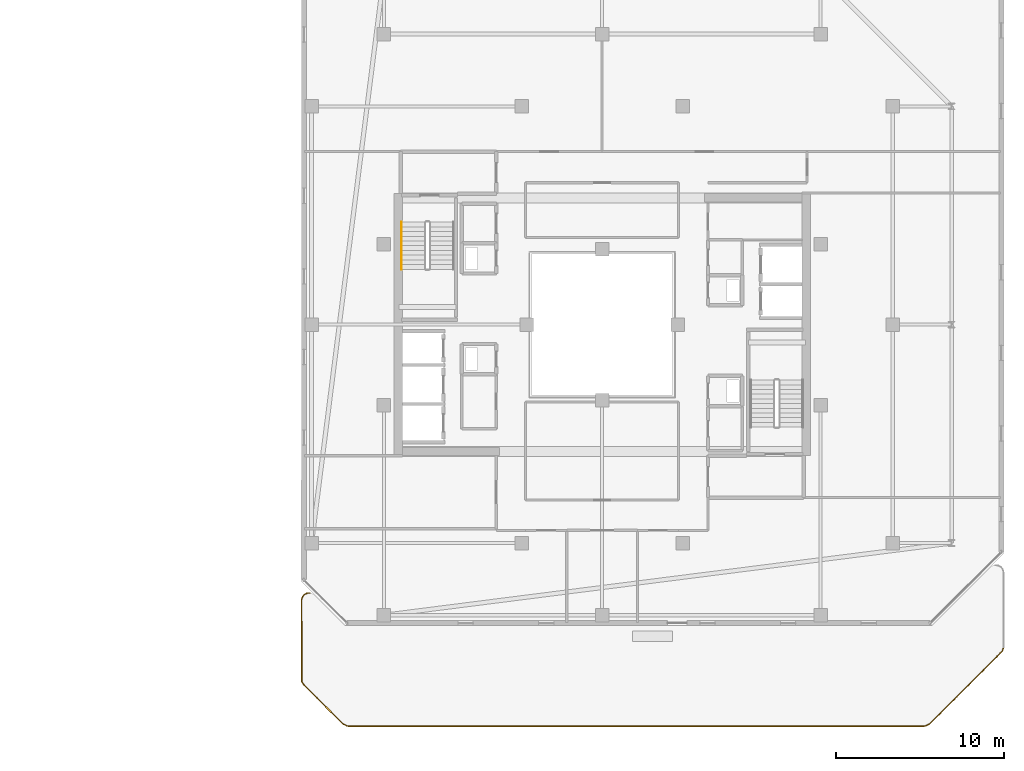
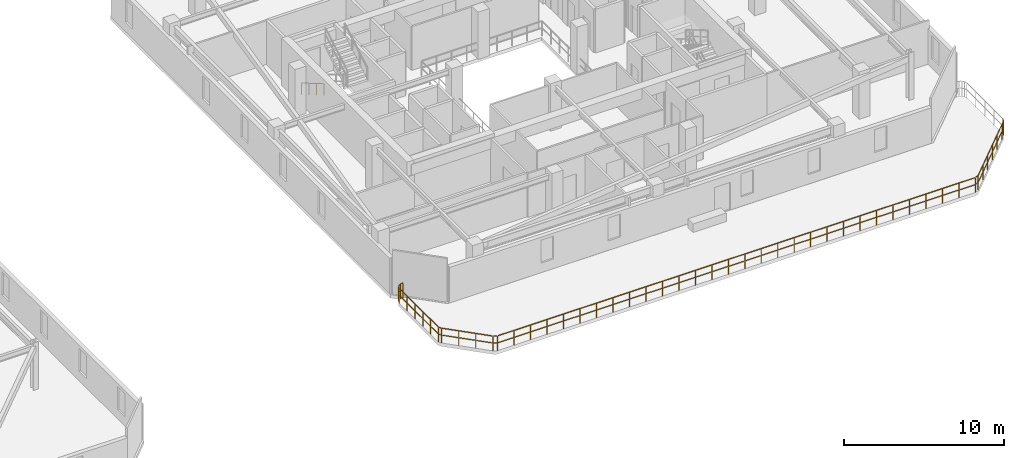
# One storey, part 30 of 31: 2 railings.
"""IFC4 building model written with IfcOpenShell, lengths in metres."""

from ifc_helpers import new_model, si_unit, direction, frame, origin, origin_2d, place, context, subcontext, project, spatial, rectangle, extrude, material, type_object, element, save


model = new_model("IFC4")

# Units and contexts
model_context = context("Model", 3, precision=1e-05, world=origin(), true_north=direction((0.0, 1.0)))
body_context = subcontext(model_context, "Body", "Model", "MODEL_VIEW")
ifc_project = project(units=[si_unit("LENGTHUNIT", "METRE"), si_unit("AREAUNIT", "SQUARE_METRE"), si_unit("VOLUMEUNIT", "CUBIC_METRE"), si_unit("PLANEANGLEUNIT", "RADIAN"), si_unit("MASSUNIT", "GRAM", prefix="KILO")], contexts=[model_context])

# Site, building, storey
site_placement = place(None, origin())
site = spatial("IfcSite", under=ifc_project, at=site_placement, CompositionType="ELEMENT")
building_placement = place(site_placement, origin())
building = spatial("IfcBuilding", under=site, at=building_placement, Name="Thornwick Lancets Civic Towers", CompositionType="ELEMENT")
storey_placement = place(building_placement, frame((0.0, 0.0, 254.699951171875)))
storey = spatial("IfcBuildingStorey", under=building, at=storey_placement, Name="L68", CompositionType="ELEMENT", Elevation=254.699951171875)

# Railings
ifc_material_1 = material(Name="Brushed stainless steel S355", Category="steel")
railing_type_1 = type_object("IfcRailingType", Name="RAIL_HANDRAIL", PredefinedType="HANDRAIL", material=ifc_material_1)
railing_1_placement = place(storey_placement, frame((76.550048828125, 33.10009765625, 0.16357421875)))
element("IfcRailing", 1, at=railing_1_placement, inside=storey, type_object=railing_type_1, Name="L68 ST-B2 stair handrail 1", PredefinedType="HANDRAIL", context=body_context, shape_type="SweptSolid", body=[
    extrude(rectangle(XDim=0.048095703125, YDim=0.048095703125, at=origin_2d()), frame((0.0, 0.0, 0.8857421875), z_axis=(0.0, -0.863360870873, 0.504586966384), x_axis=(1.0, 0.0, 0.0)), (0.0, 0.0, 1.0), 3.2431640625),
    extrude(rectangle(XDim=0.0419921875, YDim=0.0419921875, at=origin_2d()), origin(), (0.0, 0.0, 1.0), 0.855712890625),
    extrude(rectangle(XDim=0.0419921875, YDim=0.0419921875, at=origin_2d()), frame((0.0, -0.933349609375, 0.54541015625)), (0.0, 0.0, 1.0), 0.855712890625),
    extrude(rectangle(XDim=0.0419921875, YDim=0.0419921875, at=origin_2d()), frame((0.0, -1.86669921875, 1.091064453125)), (0.0, 0.0, 1.0), 0.855712890625),
    extrude(rectangle(XDim=0.0419921875, YDim=0.0419921875, at=origin_2d()), frame((0.0, -2.800048828125, 1.636474609375)), (0.0, 0.0, 1.0), 0.855712890625),
])
ifc_material_2 = material(Name="Terracotta-capped laminated glass balustrade S355", Category="masonry")
railing_type_2 = type_object("IfcRailingType", Name="RAIL_TERR_GUARD", PredefinedType="GUARDRAIL", material=ifc_material_2)
railing_2_placement = place(storey_placement, frame((112.397705078125, 7.7802734375, 0.0)))
element("IfcRailing", 2, at=railing_2_placement, inside=storey, type_object=railing_type_2, Name="L68 Tower B Sky-Garden Guard 1 Part 1", PredefinedType="GUARDRAIL", context=body_context, shape_type="SweptSolid", body=[
    extrude(rectangle(XDim=0.048095703125, YDim=0.048095703125, at=origin_2d()), frame((0.0, 0.0, 1.1259765625), z_axis=(-0.336265625634, -0.941767184084, 0.0), x_axis=(0.941767184084, -0.336265625634, 0.0)), (0.0, 0.0, 1.0), 0.187255859375),
    extrude(rectangle(XDim=0.0419921875, YDim=0.0419921875, at=origin_2d()), frame((-0.0126953125, -0.035400390625, 0.597900390625), z_axis=(-0.336265625634, -0.941767184084, 0.0), x_axis=(0.941767184084, -0.336265625634, 0.0)), (0.0, 0.0, 1.0), 0.1435546875),
    extrude(rectangle(XDim=0.048095703125, YDim=0.048095703125, at=origin_2d()), frame((-0.09521484375, -0.228271484375, 1.1259765625), z_axis=(-0.693108716252, -0.720833064902, 0.0), x_axis=(0.720833064902, -0.693108716252, 0.0)), (0.0, 0.0, 1.0), 0.377685546875),
    extrude(rectangle(XDim=0.0419921875, YDim=0.0419921875, at=origin_2d()), frame((-0.099365234375, -0.23291015625, 0.597900390625), z_axis=(-0.693108716252, -0.720833064902, 0.0), x_axis=(0.720833064902, -0.693108716252, 0.0)), (0.0, 0.0, 1.0), 0.365234375),
    extrude(rectangle(XDim=0.048095703125, YDim=0.048095703125, at=origin_2d()), frame((-0.40087890625, -0.54541015625, 1.1259765625), z_axis=(-0.707085337138, -0.707128224585, 0.0), x_axis=(0.707128224585, -0.707085337138, 0.0)), (0.0, 0.0, 1.0), 5.630126953125),
    extrude(rectangle(XDim=0.0419921875, YDim=0.0419921875, at=origin_2d()), frame((-0.4052734375, -0.5498046875, 0.597900390625), z_axis=(-0.707085337138, -0.707128224585, 0.0), x_axis=(0.707128224585, -0.707085337138, 0.0)), (0.0, 0.0, 1.0), 1.0634765625),
    extrude(rectangle(XDim=0.0419921875, YDim=0.0419921875, at=origin_2d()), frame((-1.210205078125, -1.354736328125, 0.597900390625), z_axis=(-0.707085337138, -0.707128224585, 0.0), x_axis=(0.707128224585, -0.707085337138, 0.0)), (0.0, 0.0, 1.0), 1.0634765625),
    extrude(rectangle(XDim=0.0419921875, YDim=0.0419921875, at=origin_2d()), frame((-2.01513671875, -2.159912109375, 0.597900390625), z_axis=(-0.707085337138, -0.707128224585, 0.0), x_axis=(0.707128224585, -0.707085337138, 0.0)), (0.0, 0.0, 1.0), 1.0634765625),
    extrude(rectangle(XDim=0.0419921875, YDim=0.0419921875, at=origin_2d()), frame((-2.8203125, -2.96484375, 0.597900390625), z_axis=(-0.707085337138, -0.707128224585, 0.0), x_axis=(0.707128224585, -0.707085337138, 0.0)), (0.0, 0.0, 1.0), 1.0634765625),
    extrude(rectangle(XDim=0.0419921875, YDim=0.0419921875, at=origin_2d()), frame((-3.625244140625, -3.77001953125, 0.597900390625), z_axis=(-0.707085337138, -0.707128224585, 0.0), x_axis=(0.707128224585, -0.707085337138, 0.0)), (0.0, 0.0, 1.0), 1.0634765625),
    extrude(rectangle(XDim=0.048095703125, YDim=0.048095703125, at=origin_2d()), frame((-4.43212890625, -4.56201171875, 1.1259765625), z_axis=(-0.904343633652, -0.426805098696, 0.0), x_axis=(0.426805098696, -0.904343633652, 0.0)), (0.0, 0.0, 1.0), 0.24072265625),
    extrude(rectangle(XDim=0.0419921875, YDim=0.0419921875, at=origin_2d()), frame((-4.437744140625, -4.564697265625, 0.597900390625), z_axis=(-0.904343633652, -0.426805098696, 0.0), x_axis=(0.426805098696, -0.904343633652, 0.0)), (0.0, 0.0, 1.0), 0.228271484375),
    extrude(rectangle(XDim=0.048095703125, YDim=0.048095703125, at=origin_2d()), frame((-4.709228515625, -4.677978515625, 1.1259765625), z_axis=(-1.0, 0.0, 0.0), x_axis=(0.0, -1.0, 0.0)), (0.0, 0.0, 1.0), 34.31494140625),
    extrude(rectangle(XDim=0.0419921875, YDim=0.0419921875, at=origin_2d()), frame((-4.715576171875, -4.677978515625, 0.597900390625), z_axis=(-1.0, 0.0, 0.0), x_axis=(0.0, -1.0, 0.0)), (0.0, 0.0, 1.0), 1.1103515625),
    extrude(rectangle(XDim=0.0419921875, YDim=0.0419921875, at=origin_2d()), frame((-5.90087890625, -4.677978515625, 0.597900390625), z_axis=(-1.0, 0.0, 0.0), x_axis=(0.0, -1.0, 0.0)), (0.0, 0.0, 1.0), 1.1103515625),
    extrude(rectangle(XDim=0.0419921875, YDim=0.0419921875, at=origin_2d()), frame((-7.08642578125, -4.677978515625, 0.597900390625), z_axis=(-1.0, 0.0, 0.0), x_axis=(0.0, -1.0, 0.0)), (0.0, 0.0, 1.0), 1.1103515625),
    extrude(rectangle(XDim=0.0419921875, YDim=0.0419921875, at=origin_2d()), frame((-8.271728515625, -4.677978515625, 0.597900390625), z_axis=(-1.0, 0.0, 0.0), x_axis=(0.0, -1.0, 0.0)), (0.0, 0.0, 1.0), 1.1103515625),
    extrude(rectangle(XDim=0.0419921875, YDim=0.0419921875, at=origin_2d()), frame((-9.457275390625, -4.677978515625, 0.597900390625), z_axis=(-1.0, 0.0, 0.0), x_axis=(0.0, -1.0, 0.0)), (0.0, 0.0, 1.0), 1.1103515625),
    extrude(rectangle(XDim=0.0419921875, YDim=0.0419921875, at=origin_2d()), frame((-10.642578125, -4.677978515625, 0.597900390625), z_axis=(-1.0, 0.0, 0.0), x_axis=(0.0, -1.0, 0.0)), (0.0, 0.0, 1.0), 1.1103515625),
    extrude(rectangle(XDim=0.0419921875, YDim=0.0419921875, at=origin_2d()), frame((-11.828125, -4.677978515625, 0.597900390625), z_axis=(-1.0, 0.0, 0.0), x_axis=(0.0, -1.0, 0.0)), (0.0, 0.0, 1.0), 1.1103515625),
    extrude(rectangle(XDim=0.0419921875, YDim=0.0419921875, at=origin_2d()), frame((-13.013427734375, -4.677978515625, 0.597900390625), z_axis=(-1.0, 0.0, 0.0), x_axis=(0.0, -1.0, 0.0)), (0.0, 0.0, 1.0), 1.1103515625),
    extrude(rectangle(XDim=0.0419921875, YDim=0.0419921875, at=origin_2d()), frame((-14.198974609375, -4.677978515625, 0.597900390625), z_axis=(-1.0, 0.0, 0.0), x_axis=(0.0, -1.0, 0.0)), (0.0, 0.0, 1.0), 1.1103515625),
    extrude(rectangle(XDim=0.0419921875, YDim=0.0419921875, at=origin_2d()), frame((-15.38427734375, -4.677978515625, 0.597900390625), z_axis=(-1.0, 0.0, 0.0), x_axis=(0.0, -1.0, 0.0)), (0.0, 0.0, 1.0), 1.1103515625),
    extrude(rectangle(XDim=0.0419921875, YDim=0.0419921875, at=origin_2d()), frame((-16.56982421875, -4.677978515625, 0.597900390625), z_axis=(-1.0, 0.0, 0.0), x_axis=(0.0, -1.0, 0.0)), (0.0, 0.0, 1.0), 1.1103515625),
    extrude(rectangle(XDim=0.0419921875, YDim=0.0419921875, at=origin_2d()), frame((-17.755126953125, -4.677978515625, 0.597900390625), z_axis=(-1.0, 0.0, 0.0), x_axis=(0.0, -1.0, 0.0)), (0.0, 0.0, 1.0), 1.1103515625),
    extrude(rectangle(XDim=0.0419921875, YDim=0.0419921875, at=origin_2d()), frame((-18.940673828125, -4.677978515625, 0.597900390625), z_axis=(-1.0, 0.0, 0.0), x_axis=(0.0, -1.0, 0.0)), (0.0, 0.0, 1.0), 1.1103515625),
    extrude(rectangle(XDim=0.0419921875, YDim=0.0419921875, at=origin_2d()), frame((-20.1259765625, -4.677978515625, 0.597900390625), z_axis=(-1.0, 0.0, 0.0), x_axis=(0.0, -1.0, 0.0)), (0.0, 0.0, 1.0), 1.1103515625),
    extrude(rectangle(XDim=0.0419921875, YDim=0.0419921875, at=origin_2d()), frame((-21.3115234375, -4.677978515625, 0.597900390625), z_axis=(-1.0, 0.0, 0.0), x_axis=(0.0, -1.0, 0.0)), (0.0, 0.0, 1.0), 1.1103515625),
    extrude(rectangle(XDim=0.0419921875, YDim=0.0419921875, at=origin_2d()), frame((-22.496826171875, -4.677978515625, 0.597900390625), z_axis=(-1.0, 0.0, 0.0), x_axis=(0.0, -1.0, 0.0)), (0.0, 0.0, 1.0), 1.1103515625),
    extrude(rectangle(XDim=0.0419921875, YDim=0.0419921875, at=origin_2d()), frame((-23.682373046875, -4.677978515625, 0.597900390625), z_axis=(-1.0, 0.0, 0.0), x_axis=(0.0, -1.0, 0.0)), (0.0, 0.0, 1.0), 1.1103515625),
    extrude(rectangle(XDim=0.0419921875, YDim=0.0419921875, at=origin_2d()), frame((-24.86767578125, -4.677978515625, 0.597900390625), z_axis=(-1.0, 0.0, 0.0), x_axis=(0.0, -1.0, 0.0)), (0.0, 0.0, 1.0), 1.1103515625),
    extrude(rectangle(XDim=0.0419921875, YDim=0.0419921875, at=origin_2d()), frame((-26.05322265625, -4.677978515625, 0.597900390625), z_axis=(-1.0, 0.0, 0.0), x_axis=(0.0, -1.0, 0.0)), (0.0, 0.0, 1.0), 1.1103515625),
    extrude(rectangle(XDim=0.0419921875, YDim=0.0419921875, at=origin_2d()), frame((-27.238525390625, -4.677978515625, 0.597900390625), z_axis=(-1.0, 0.0, 0.0), x_axis=(0.0, -1.0, 0.0)), (0.0, 0.0, 1.0), 1.1103515625),
    extrude(rectangle(XDim=0.0419921875, YDim=0.0419921875, at=origin_2d()), frame((-28.424072265625, -4.677978515625, 0.597900390625), z_axis=(-1.0, 0.0, 0.0), x_axis=(0.0, -1.0, 0.0)), (0.0, 0.0, 1.0), 1.1103515625),
    extrude(rectangle(XDim=0.0419921875, YDim=0.0419921875, at=origin_2d()), frame((-29.609375, -4.677978515625, 0.597900390625), z_axis=(-1.0, 0.0, 0.0), x_axis=(0.0, -1.0, 0.0)), (0.0, 0.0, 1.0), 1.1103515625),
    extrude(rectangle(XDim=0.0419921875, YDim=0.0419921875, at=origin_2d()), frame((-30.794921875, -4.677978515625, 0.597900390625), z_axis=(-1.0, 0.0, 0.0), x_axis=(0.0, -1.0, 0.0)), (0.0, 0.0, 1.0), 1.1103515625),
    extrude(rectangle(XDim=0.0419921875, YDim=0.0419921875, at=origin_2d()), frame((-31.980224609375, -4.677978515625, 0.597900390625), z_axis=(-1.0, 0.0, 0.0), x_axis=(0.0, -1.0, 0.0)), (0.0, 0.0, 1.0), 1.1103515625),
    extrude(rectangle(XDim=0.0419921875, YDim=0.0419921875, at=origin_2d()), frame((-33.165771484375, -4.677978515625, 0.597900390625), z_axis=(-1.0, 0.0, 0.0), x_axis=(0.0, -1.0, 0.0)), (0.0, 0.0, 1.0), 1.1103515625),
    extrude(rectangle(XDim=0.0419921875, YDim=0.0419921875, at=origin_2d()), frame((-34.351318359375, -4.677978515625, 0.597900390625), z_axis=(-1.0, 0.0, 0.0), x_axis=(0.0, -1.0, 0.0)), (0.0, 0.0, 1.0), 1.1103515625),
    extrude(rectangle(XDim=0.0419921875, YDim=0.0419921875, at=origin_2d()), frame((-35.53662109375, -4.677978515625, 0.597900390625), z_axis=(-1.0, 0.0, 0.0), x_axis=(0.0, -1.0, 0.0)), (0.0, 0.0, 1.0), 1.1103515625),
    extrude(rectangle(XDim=0.0419921875, YDim=0.0419921875, at=origin_2d()), frame((-36.72216796875, -4.677978515625, 0.597900390625), z_axis=(-1.0, 0.0, 0.0), x_axis=(0.0, -1.0, 0.0)), (0.0, 0.0, 1.0), 1.1103515625),
    extrude(rectangle(XDim=0.0419921875, YDim=0.0419921875, at=origin_2d()), frame((-37.907470703125, -4.677978515625, 0.597900390625), z_axis=(-1.0, 0.0, 0.0), x_axis=(0.0, -1.0, 0.0)), (0.0, 0.0, 1.0), 1.1103515625),
    extrude(rectangle(XDim=0.048095703125, YDim=0.048095703125, at=origin_2d()), frame((-39.083740234375, -4.66455078125, 1.1259765625), z_axis=(-0.904343633652, 0.426805098696, 0.0), x_axis=(-0.426805098696, -0.904343633652, 0.0)), (0.0, 0.0, 1.0), 0.24072265625),
    extrude(rectangle(XDim=0.0419921875, YDim=0.0419921875, at=origin_2d()), frame((-39.08935546875, -4.661865234375, 0.597900390625), z_axis=(-0.904343633652, 0.426805098696, 0.0), x_axis=(-0.426805098696, -0.904343633652, 0.0)), (0.0, 0.0, 1.0), 0.228271484375),
    extrude(rectangle(XDim=0.048095703125, YDim=0.048095703125, at=origin_2d()), frame((-39.351806640625, -4.5263671875, 1.1259765625), z_axis=(-0.707106781187, 0.707106781187, 0.0), x_axis=(-0.707106781187, -0.707106781187, 0.0)), (0.0, 0.0, 1.0), 3.24169921875),
    extrude(rectangle(XDim=0.0419921875, YDim=0.0419921875, at=origin_2d()), frame((-39.356201171875, -4.52197265625, 0.597900390625), z_axis=(-0.707106781187, 0.707106781187, 0.0), x_axis=(-0.707106781187, -0.707106781187, 0.0)), (0.0, 0.0, 1.0), 1.0263671875),
    extrude(rectangle(XDim=0.0419921875, YDim=0.0419921875, at=origin_2d()), frame((-40.135009765625, -3.7431640625, 0.597900390625), z_axis=(-0.707106781187, 0.707106781187, 0.0), x_axis=(-0.707106781187, -0.707106781187, 0.0)), (0.0, 0.0, 1.0), 1.0263671875),
    extrude(rectangle(XDim=0.0419921875, YDim=0.0419921875, at=origin_2d()), frame((-40.913818359375, -2.96435546875, 0.597900390625), z_axis=(-0.707106781187, 0.707106781187, 0.0), x_axis=(-0.707106781187, -0.707106781187, 0.0)), (0.0, 0.0, 1.0), 1.0263671875),
    extrude(rectangle(XDim=0.048095703125, YDim=0.048095703125, at=origin_2d()), frame((-41.68212890625, -2.185302734375, 1.1259765625), z_axis=(-0.513346500392, 0.858181432178, 0.0), x_axis=(-0.858181432178, -0.513346500392, 0.0)), (0.0, 0.0, 1.0), 0.15625),
    extrude(rectangle(XDim=0.0419921875, YDim=0.0419921875, at=origin_2d()), frame((-41.685302734375, -2.179931640625, 0.597900390625), z_axis=(-0.513346500392, 0.858181432178, 0.0), x_axis=(-0.858181432178, -0.513346500392, 0.0)), (0.0, 0.0, 1.0), 0.143798828125),
    extrude(rectangle(XDim=0.048095703125, YDim=0.048095703125, at=origin_2d()), frame((-41.7783203125, -1.9931640625, 1.1259765625), z_axis=(-0.003506641099, 0.999993851715, 0.0), x_axis=(-0.999993851715, -0.003506641099, 0.0)), (0.0, 0.0, 1.0), 4.81103515625),
    extrude(rectangle(XDim=0.0419921875, YDim=0.0419921875, at=origin_2d()), frame((-41.778564453125, -1.98681640625, 0.597900390625), z_axis=(-0.003506641099, 0.999993851715, 0.0), x_axis=(-0.999993851715, -0.003506641099, 0.0)), (0.0, 0.0, 1.0), 0.899658203125),
    extrude(rectangle(XDim=0.0419921875, YDim=0.0419921875, at=origin_2d()), frame((-41.781982421875, -1.01220703125, 0.597900390625), z_axis=(-0.003506641099, 0.999993851715, 0.0), x_axis=(-0.999993851715, -0.003506641099, 0.0)), (0.0, 0.0, 1.0), 0.899658203125),
    extrude(rectangle(XDim=0.0419921875, YDim=0.0419921875, at=origin_2d()), frame((-41.785400390625, -0.03759765625, 0.597900390625), z_axis=(-0.003506641099, 0.999993851715, 0.0), x_axis=(-0.999993851715, -0.003506641099, 0.0)), (0.0, 0.0, 1.0), 0.899658203125),
    extrude(rectangle(XDim=0.0419921875, YDim=0.0419921875, at=origin_2d()), frame((-41.788818359375, 0.937255859375, 0.597900390625), z_axis=(-0.003506641099, 0.999993851715, 0.0), x_axis=(-0.999993851715, -0.003506641099, 0.0)), (0.0, 0.0, 1.0), 0.899658203125),
    extrude(rectangle(XDim=0.0419921875, YDim=0.0419921875, at=origin_2d()), frame((-41.792236328125, 1.911865234375, 0.597900390625), z_axis=(-0.003506641099, 0.999993851715, 0.0), x_axis=(-0.999993851715, -0.003506641099, 0.0)), (0.0, 0.0, 1.0), 0.899658203125),
    extrude(rectangle(XDim=0.048095703125, YDim=0.048095703125, at=origin_2d()), frame((-41.786376953125, 2.879150390625, 1.1259765625), z_axis=(0.289389501276, 0.957211427299, 0.0), x_axis=(-0.957211427299, 0.289389501276, 0.0)), (0.0, 0.0, 1.0), 0.113037109375),
    extrude(rectangle(XDim=0.0419921875, YDim=0.0419921875, at=origin_2d()), frame((-41.78466796875, 2.885009765625, 0.597900390625), z_axis=(0.289389501276, 0.957211427299, 0.0), x_axis=(-0.957211427299, 0.289389501276, 0.0)), (0.0, 0.0, 1.0), 0.1005859375),
    extrude(rectangle(XDim=0.048095703125, YDim=0.048095703125, at=origin_2d()), frame((-41.724853515625, 3.041259765625, 1.1259765625), z_axis=(0.634146109242, 0.773213238462, 0.0), x_axis=(-0.773213238462, 0.634146109242, 0.0)), (0.0, 0.0, 1.0), 0.113037109375),
    extrude(rectangle(XDim=0.0419921875, YDim=0.0419921875, at=origin_2d()), frame((-41.720947265625, 3.046142578125, 0.597900390625), z_axis=(0.634146109242, 0.773213238462, 0.0), x_axis=(-0.773213238462, 0.634146109242, 0.0)), (0.0, 0.0, 1.0), 0.1005859375),
    extrude(rectangle(XDim=0.048095703125, YDim=0.048095703125, at=origin_2d()), frame((-41.605712890625, 3.16748046875, 1.1259765625), z_axis=(0.882160586654, 0.470948722639, 0.0), x_axis=(-0.470948722639, 0.882160586654, 0.0)), (0.0, 0.0, 1.0), 0.11328125),
    extrude(rectangle(XDim=0.0419921875, YDim=0.0419921875, at=origin_2d()), frame((-41.600341796875, 3.17041015625, 0.597900390625), z_axis=(0.882160586654, 0.470948722639, 0.0), x_axis=(-0.470948722639, 0.882160586654, 0.0)), (0.0, 0.0, 1.0), 0.100830078125),
    extrude(rectangle(XDim=0.048095703125, YDim=0.048095703125, at=origin_2d()), frame((-41.447265625, 3.238525390625, 1.1259765625), z_axis=(0.99556264392, 0.094101126617, 0.0), x_axis=(-0.094101126617, 0.99556264392, 0.0)), (0.0, 0.0, 1.0), 0.147705078125),
    extrude(rectangle(XDim=0.0419921875, YDim=0.0419921875, at=origin_2d()), frame((-41.44091796875, 3.239013671875, 0.597900390625), z_axis=(0.99556264392, 0.094101126617, 0.0), x_axis=(-0.094101126617, 0.99556264392, 0.0)), (0.0, 0.0, 1.0), 0.10400390625),
    extrude(rectangle(XDim=0.0419921875, YDim=0.0419921875, at=origin_2d()), origin(), (0.0, 0.0, 1.0), 1.095703125),
    extrude(rectangle(XDim=0.0419921875, YDim=0.0419921875, at=origin_2d()), frame((-0.073486328125, -0.205810546875, 0.0)), (0.0, 0.0, 1.0), 1.095703125),
    extrude(rectangle(XDim=0.0419921875, YDim=0.0419921875, at=origin_2d()), frame((-0.378662109375, -0.523193359375, 0.0)), (0.0, 0.0, 1.0), 1.095703125),
    extrude(rectangle(XDim=0.0419921875, YDim=0.0419921875, at=origin_2d()), frame((-1.18359375, -1.328369140625, 0.0)), (0.0, 0.0, 1.0), 1.095703125),
    extrude(rectangle(XDim=0.0419921875, YDim=0.0419921875, at=origin_2d()), frame((-1.98876953125, -2.13330078125, 0.0)), (0.0, 0.0, 1.0), 1.095703125),
    extrude(rectangle(XDim=0.0419921875, YDim=0.0419921875, at=origin_2d()), frame((-2.793701171875, -2.9384765625, 0.0)), (0.0, 0.0, 1.0), 1.095703125),
    extrude(rectangle(XDim=0.0419921875, YDim=0.0419921875, at=origin_2d()), frame((-3.598876953125, -3.743408203125, 0.0)), (0.0, 0.0, 1.0), 1.095703125),
    extrude(rectangle(XDim=0.0419921875, YDim=0.0419921875, at=origin_2d()), frame((-4.40380859375, -4.548583984375, 0.0)), (0.0, 0.0, 1.0), 1.095703125),
    extrude(rectangle(XDim=0.0419921875, YDim=0.0419921875, at=origin_2d()), frame((-4.677978515625, -4.677978515625, 0.0)), (0.0, 0.0, 1.0), 1.095703125),
    extrude(rectangle(XDim=0.0419921875, YDim=0.0419921875, at=origin_2d()), frame((-5.863525390625, -4.677978515625, 0.0)), (0.0, 0.0, 1.0), 1.095703125),
    extrude(rectangle(XDim=0.0419921875, YDim=0.0419921875, at=origin_2d()), frame((-7.048828125, -4.677978515625, 0.0)), (0.0, 0.0, 1.0), 1.095703125),
    extrude(rectangle(XDim=0.0419921875, YDim=0.0419921875, at=origin_2d()), frame((-8.234375, -4.677978515625, 0.0)), (0.0, 0.0, 1.0), 1.095703125),
    extrude(rectangle(XDim=0.0419921875, YDim=0.0419921875, at=origin_2d()), frame((-9.419677734375, -4.677978515625, 0.0)), (0.0, 0.0, 1.0), 1.095703125),
    extrude(rectangle(XDim=0.0419921875, YDim=0.0419921875, at=origin_2d()), frame((-10.605224609375, -4.677978515625, 0.0)), (0.0, 0.0, 1.0), 1.095703125),
    extrude(rectangle(XDim=0.0419921875, YDim=0.0419921875, at=origin_2d()), frame((-11.79052734375, -4.677978515625, 0.0)), (0.0, 0.0, 1.0), 1.095703125),
    extrude(rectangle(XDim=0.0419921875, YDim=0.0419921875, at=origin_2d()), frame((-12.97607421875, -4.677978515625, 0.0)), (0.0, 0.0, 1.0), 1.095703125),
    extrude(rectangle(XDim=0.0419921875, YDim=0.0419921875, at=origin_2d()), frame((-14.161376953125, -4.677978515625, 0.0)), (0.0, 0.0, 1.0), 1.095703125),
    extrude(rectangle(XDim=0.0419921875, YDim=0.0419921875, at=origin_2d()), frame((-15.346923828125, -4.677978515625, 0.0)), (0.0, 0.0, 1.0), 1.095703125),
    extrude(rectangle(XDim=0.0419921875, YDim=0.0419921875, at=origin_2d()), frame((-16.5322265625, -4.677978515625, 0.0)), (0.0, 0.0, 1.0), 1.095703125),
    extrude(rectangle(XDim=0.0419921875, YDim=0.0419921875, at=origin_2d()), frame((-17.7177734375, -4.677978515625, 0.0)), (0.0, 0.0, 1.0), 1.095703125),
    extrude(rectangle(XDim=0.0419921875, YDim=0.0419921875, at=origin_2d()), frame((-18.903076171875, -4.677978515625, 0.0)), (0.0, 0.0, 1.0), 1.095703125),
    extrude(rectangle(XDim=0.0419921875, YDim=0.0419921875, at=origin_2d()), frame((-20.088623046875, -4.677978515625, 0.0)), (0.0, 0.0, 1.0), 1.095703125),
    extrude(rectangle(XDim=0.0419921875, YDim=0.0419921875, at=origin_2d()), frame((-21.27392578125, -4.677978515625, 0.0)), (0.0, 0.0, 1.0), 1.095703125),
    extrude(rectangle(XDim=0.0419921875, YDim=0.0419921875, at=origin_2d()), frame((-22.45947265625, -4.677978515625, 0.0)), (0.0, 0.0, 1.0), 1.095703125),
    extrude(rectangle(XDim=0.0419921875, YDim=0.0419921875, at=origin_2d()), frame((-23.644775390625, -4.677978515625, 0.0)), (0.0, 0.0, 1.0), 1.095703125),
    extrude(rectangle(XDim=0.0419921875, YDim=0.0419921875, at=origin_2d()), frame((-24.830322265625, -4.677978515625, 0.0)), (0.0, 0.0, 1.0), 1.095703125),
    extrude(rectangle(XDim=0.0419921875, YDim=0.0419921875, at=origin_2d()), frame((-26.015625, -4.677978515625, 0.0)), (0.0, 0.0, 1.0), 1.095703125),
    extrude(rectangle(XDim=0.0419921875, YDim=0.0419921875, at=origin_2d()), frame((-27.201171875, -4.677978515625, 0.0)), (0.0, 0.0, 1.0), 1.095703125),
    extrude(rectangle(XDim=0.0419921875, YDim=0.0419921875, at=origin_2d()), frame((-28.386474609375, -4.677978515625, 0.0)), (0.0, 0.0, 1.0), 1.095703125),
    extrude(rectangle(XDim=0.0419921875, YDim=0.0419921875, at=origin_2d()), frame((-29.572021484375, -4.677978515625, 0.0)), (0.0, 0.0, 1.0), 1.095703125),
    extrude(rectangle(XDim=0.0419921875, YDim=0.0419921875, at=origin_2d()), frame((-30.75732421875, -4.677978515625, 0.0)), (0.0, 0.0, 1.0), 1.095703125),
    extrude(rectangle(XDim=0.0419921875, YDim=0.0419921875, at=origin_2d()), frame((-31.94287109375, -4.677978515625, 0.0)), (0.0, 0.0, 1.0), 1.095703125),
    extrude(rectangle(XDim=0.0419921875, YDim=0.0419921875, at=origin_2d()), frame((-33.128173828125, -4.677978515625, 0.0)), (0.0, 0.0, 1.0), 1.095703125),
    extrude(rectangle(XDim=0.0419921875, YDim=0.0419921875, at=origin_2d()), frame((-34.313720703125, -4.677978515625, 0.0)), (0.0, 0.0, 1.0), 1.095703125),
    extrude(rectangle(XDim=0.0419921875, YDim=0.0419921875, at=origin_2d()), frame((-35.4990234375, -4.677978515625, 0.0)), (0.0, 0.0, 1.0), 1.095703125),
    extrude(rectangle(XDim=0.0419921875, YDim=0.0419921875, at=origin_2d()), frame((-36.6845703125, -4.677978515625, 0.0)), (0.0, 0.0, 1.0), 1.095703125),
    extrude(rectangle(XDim=0.0419921875, YDim=0.0419921875, at=origin_2d()), frame((-37.869873046875, -4.677978515625, 0.0)), (0.0, 0.0, 1.0), 1.095703125),
    extrude(rectangle(XDim=0.0419921875, YDim=0.0419921875, at=origin_2d()), frame((-39.055419921875, -4.677978515625, 0.0)), (0.0, 0.0, 1.0), 1.095703125),
    extrude(rectangle(XDim=0.0419921875, YDim=0.0419921875, at=origin_2d()), frame((-39.32958984375, -4.548583984375, 0.0)), (0.0, 0.0, 1.0), 1.095703125),
    extrude(rectangle(XDim=0.0419921875, YDim=0.0419921875, at=origin_2d()), frame((-40.1083984375, -3.769775390625, 0.0)), (0.0, 0.0, 1.0), 1.095703125),
    extrude(rectangle(XDim=0.0419921875, YDim=0.0419921875, at=origin_2d()), frame((-40.88720703125, -2.990966796875, 0.0)), (0.0, 0.0, 1.0), 1.095703125),
    extrude(rectangle(XDim=0.0419921875, YDim=0.0419921875, at=origin_2d()), frame((-41.666015625, -2.212158203125, 0.0)), (0.0, 0.0, 1.0), 1.095703125),
    extrude(rectangle(XDim=0.0419921875, YDim=0.0419921875, at=origin_2d()), frame((-41.7783203125, -2.0244140625, 0.0)), (0.0, 0.0, 1.0), 1.095703125),
    extrude(rectangle(XDim=0.0419921875, YDim=0.0419921875, at=origin_2d()), frame((-41.78173828125, -1.0498046875, 0.0)), (0.0, 0.0, 1.0), 1.095703125),
    extrude(rectangle(XDim=0.0419921875, YDim=0.0419921875, at=origin_2d()), frame((-41.78515625, -0.074951171875, 0.0)), (0.0, 0.0, 1.0), 1.095703125),
    extrude(rectangle(XDim=0.0419921875, YDim=0.0419921875, at=origin_2d()), frame((-41.78857421875, 0.899658203125, 0.0)), (0.0, 0.0, 1.0), 1.095703125),
    extrude(rectangle(XDim=0.0419921875, YDim=0.0419921875, at=origin_2d()), frame((-41.7919921875, 1.87451171875, 0.0)), (0.0, 0.0, 1.0), 1.095703125),
    extrude(rectangle(XDim=0.0419921875, YDim=0.0419921875, at=origin_2d()), frame((-41.79541015625, 2.84912109375, 0.0)), (0.0, 0.0, 1.0), 1.095703125),
    extrude(rectangle(XDim=0.0419921875, YDim=0.0419921875, at=origin_2d()), frame((-41.74462890625, 3.01708984375, 0.0)), (0.0, 0.0, 1.0), 1.095703125),
    extrude(rectangle(XDim=0.0419921875, YDim=0.0419921875, at=origin_2d()), frame((-41.63330078125, 3.15283203125, 0.0)), (0.0, 0.0, 1.0), 1.095703125),
    extrude(rectangle(XDim=0.0419921875, YDim=0.0419921875, at=origin_2d()), frame((-41.478271484375, 3.235595703125, 0.0)), (0.0, 0.0, 1.0), 1.095703125),
    extrude(rectangle(XDim=0.0419921875, YDim=0.0419921875, at=origin_2d()), frame((-41.300048828125, 3.25244140625, 0.0)), (0.0, 0.0, 1.0), 1.095703125),
])

save(model, "model.ifc")
